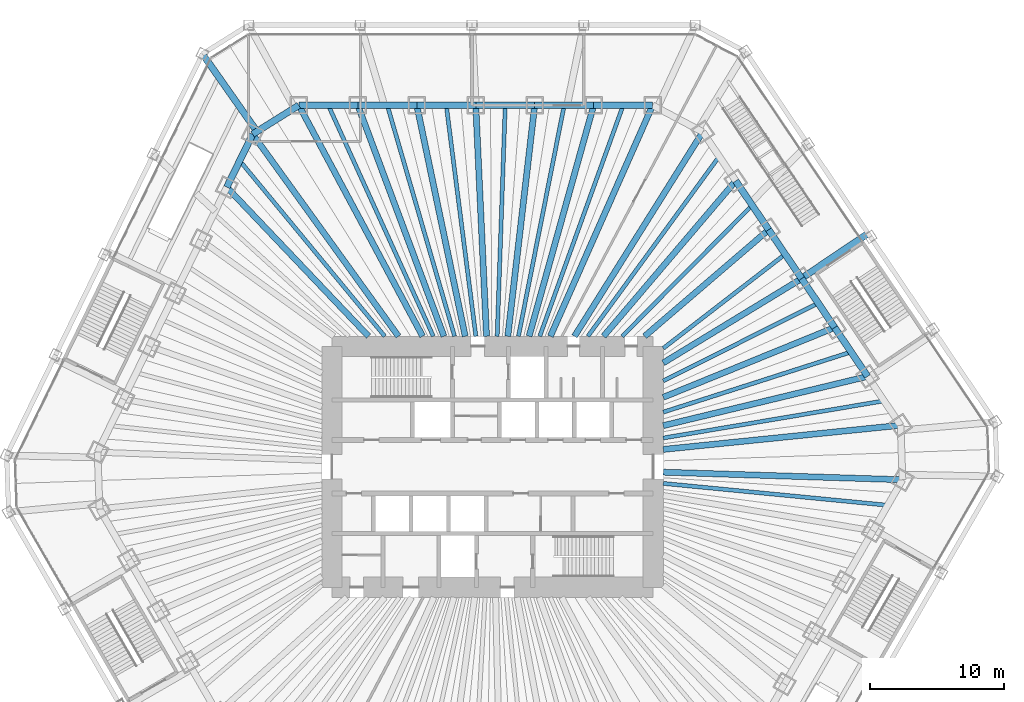
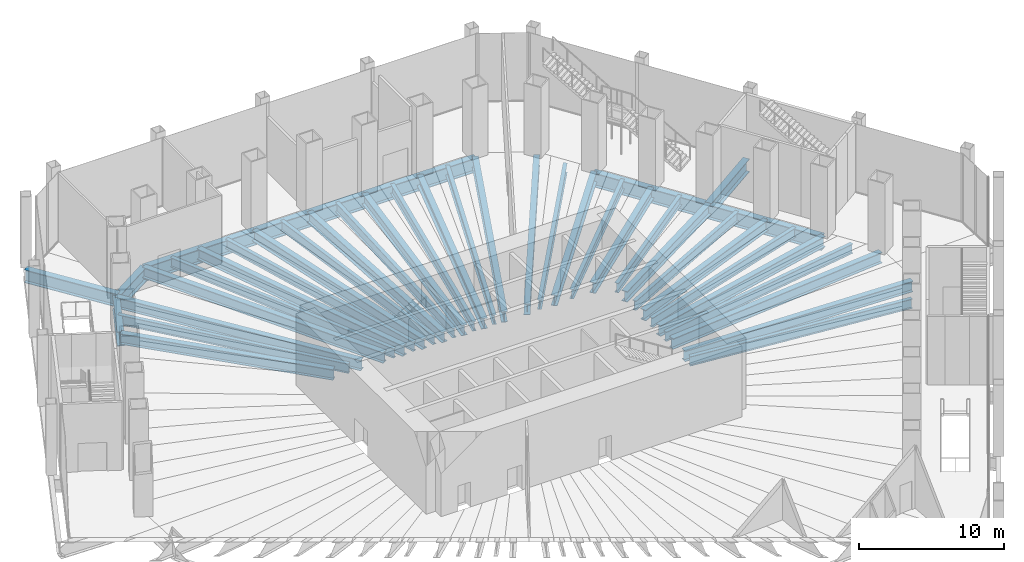
# One storey, part 10 of 23: 45 beams.
"""IFC4 building model written with IfcOpenShell, lengths in metres."""

from ifc_helpers import new_model, si_unit, direction, frame, origin, origin_2d, place, context, subcontext, project, spatial, i_section, extrude, material, material_profile, profile_set, type_object, element, save


model = new_model("IFC4")

# Units and contexts
model_context = context("Model", 3, precision=1e-05, world=origin(), true_north=direction((0.0, 1.0)))
body_context = subcontext(model_context, "Body", "Model", "MODEL_VIEW")
ifc_project = project(units=[si_unit("LENGTHUNIT", "METRE"), si_unit("AREAUNIT", "SQUARE_METRE"), si_unit("VOLUMEUNIT", "CUBIC_METRE"), si_unit("PLANEANGLEUNIT", "RADIAN"), si_unit("MASSUNIT", "GRAM", prefix="KILO")], contexts=[model_context])

# Site, building, storey
site_placement = place(None, origin())
site = spatial("IfcSite", under=ifc_project, at=site_placement, CompositionType="ELEMENT")
building_placement = place(site_placement, origin())
building = spatial("IfcBuilding", under=site, at=building_placement, Name="Qingtian Harvest Tower", CompositionType="ELEMENT")
storey_placement = place(building_placement, frame((0.0, 0.0, 6.0)))
storey = spatial("IfcBuildingStorey", under=building, at=storey_placement, Name="L01", CompositionType="ELEMENT", Elevation=6.0)

# Beams
ifc_material_1 = material(Name="Steel SM570MC", Category="steel")
ifc_material_profile_1 = material_profile(ifc_material_1, i_section(OverallWidth=0.449951171875, OverallDepth=0.89990234375, WebThickness=0.02197265625, FlangeThickness=0.044921875, at=origin_2d()), Name="H900x450x22x45")
ifc_profile_set_1 = profile_set([ifc_material_profile_1], Name="Steel SM570MC")
beam_type_1 = type_object("IfcBeamType", Name="Floor beam FB5 H900x450x22x45", PredefinedType="BEAM", material=ifc_profile_set_1)
beam_1_placement = place(storey_placement, frame((-14.471435546875, 27.0, -0.699951171875), z_axis=(0.472401408299, -0.881383520062, 0.0), x_axis=(0.881383520062, 0.472401408299, 0.0)))
element("IfcBeam", 1, at=beam_1_placement, inside=storey, type_object=beam_type_1, Name="Floor beam FB5 N0", PredefinedType="BEAM", context=body_context, shape_type="SweptSolid", body=[
    extrude(i_section(OverallWidth=0.449951171875, OverallDepth=0.89990234375, WebThickness=0.02197265625, FlangeThickness=0.044921875, at=origin_2d()), origin(), (0.0, 0.0, 1.0), 19.571533203125),
])
beam_2_placement = place(storey_placement, frame((-10.06689453125, 27.0, -0.699951171875), z_axis=(0.349355612113, -0.936990211414, 0.0), x_axis=(0.936990211414, 0.349355612113, 0.0)))
element("IfcBeam", 2, at=beam_2_placement, inside=storey, type_object=beam_type_1, Name="Floor beam FB5 N1", PredefinedType="BEAM", context=body_context, shape_type="SweptSolid", body=[
    extrude(i_section(OverallWidth=0.449951171875, OverallDepth=0.89990234375, WebThickness=0.02197265625, FlangeThickness=0.044921875, at=origin_2d()), origin(), (0.0, 0.0, 1.0), 18.409912109375),
])
beam_3_placement = place(storey_placement, frame((-5.662353515625, 27.0, -0.699951171875), z_axis=(0.205255077335, -0.978708512903, 0.0), x_axis=(0.978708512903, 0.205255077335, 0.0)))
element("IfcBeam", 3, at=beam_3_placement, inside=storey, type_object=beam_type_1, Name="Floor beam FB5 N2", PredefinedType="BEAM", context=body_context, shape_type="SweptSolid", body=[
    extrude(i_section(OverallWidth=0.449951171875, OverallDepth=0.89990234375, WebThickness=0.02197265625, FlangeThickness=0.044921875, at=origin_2d()), origin(), (0.0, 0.0, 1.0), 17.625244140625),
])
beam_4_placement = place(storey_placement, frame((-1.257568359375, 27.0, -0.699951171875), z_axis=(0.046527342366, -0.99891701678, 0.0), x_axis=(0.99891701678, 0.046527342366, 0.0)))
element("IfcBeam", 4, at=beam_4_placement, inside=storey, type_object=beam_type_1, Name="Floor beam FB5 N3", PredefinedType="BEAM", context=body_context, shape_type="SweptSolid", body=[
    extrude(i_section(OverallWidth=0.449951171875, OverallDepth=0.89990234375, WebThickness=0.02197265625, FlangeThickness=0.044921875, at=origin_2d()), origin(), (0.0, 0.0, 1.0), 17.268798828125),
])
beam_5_placement = place(storey_placement, frame((3.14697265625, 27.0, -0.699951171875), z_axis=(-0.115766971807, -0.993276400726, 0.0), x_axis=(0.993276400726, -0.115766971807, 0.0)))
element("IfcBeam", 5, at=beam_5_placement, inside=storey, type_object=beam_type_1, Name="Floor beam FB5 N4", PredefinedType="BEAM", context=body_context, shape_type="SweptSolid", body=[
    extrude(i_section(OverallWidth=0.449951171875, OverallDepth=0.89990234375, WebThickness=0.02197265625, FlangeThickness=0.044921875, at=origin_2d()), origin(), (0.0, 0.0, 1.0), 17.36669921875),
])
beam_6_placement = place(storey_placement, frame((7.551513671875, 27.0, -0.699951171875), z_axis=(-0.269343258019, -0.963044240604, 0.0), x_axis=(0.963044240604, -0.269343258019, 0.0)))
element("IfcBeam", 6, at=beam_6_placement, inside=storey, type_object=beam_type_1, Name="Floor beam FB5 N5", PredefinedType="BEAM", context=body_context, shape_type="SweptSolid", body=[
    extrude(i_section(OverallWidth=0.449951171875, OverallDepth=0.89990234375, WebThickness=0.02197265625, FlangeThickness=0.044921875, at=origin_2d()), origin(), (0.0, 0.0, 1.0), 17.911865234375),
])
beam_7_placement = place(storey_placement, frame((11.9560546875, 27.0, -0.699951171875), z_axis=(-0.404898955654, -0.914361436036, 0.0), x_axis=(0.914361436036, -0.404898955654, 0.0)))
element("IfcBeam", 7, at=beam_7_placement, inside=storey, type_object=beam_type_1, Name="Floor beam FB5 N6", PredefinedType="BEAM", context=body_context, shape_type="SweptSolid", body=[
    extrude(i_section(OverallWidth=0.449951171875, OverallDepth=0.89990234375, WebThickness=0.02197265625, FlangeThickness=0.044921875, at=origin_2d()), origin(), (0.0, 0.0, 1.0), 18.86572265625),
])
beam_8_placement = place(storey_placement, frame((15.6982421875, 25.01025390625, -0.699951171875), z_axis=(-0.531622796942, -0.846981228701, 0.0), x_axis=(0.846981228701, -0.531622796942, 0.0)))
element("IfcBeam", 8, at=beam_8_placement, inside=storey, type_object=beam_type_1, Name="Floor beam FB5 NE0", PredefinedType="BEAM", context=body_context, shape_type="SweptSolid", body=[
    extrude(i_section(OverallWidth=0.449951171875, OverallDepth=0.89990234375, WebThickness=0.02197265625, FlangeThickness=0.044921875, at=origin_2d()), origin(), (0.0, 0.0, 1.0), 18.017333984375),
])
beam_9_placement = place(storey_placement, frame((18.1611328125, 21.358642578125, -0.699951171875), z_axis=(-0.647781887327, -0.761825850474, 0.0), x_axis=(0.761825850474, -0.647781887327, 0.0)))
element("IfcBeam", 9, at=beam_9_placement, inside=storey, type_object=beam_type_1, Name="Floor beam FB5 NE1", PredefinedType="BEAM", context=body_context, shape_type="SweptSolid", body=[
    extrude(i_section(OverallWidth=0.449951171875, OverallDepth=0.89990234375, WebThickness=0.02197265625, FlangeThickness=0.044921875, at=origin_2d()), origin(), (0.0, 0.0, 1.0), 15.238037109375),
])
beam_10_placement = place(storey_placement, frame((20.624267578125, 17.70703125, -0.699951171875), z_axis=(-0.75873153072, -0.651403457384, 0.0), x_axis=(0.651403457384, -0.75873153072, 0.0)))
element("IfcBeam", 10, at=beam_10_placement, inside=storey, type_object=beam_type_1, Name="Floor beam FB5 NE2", PredefinedType="BEAM", context=body_context, shape_type="SweptSolid", body=[
    extrude(i_section(OverallWidth=0.449951171875, OverallDepth=0.89990234375, WebThickness=0.02197265625, FlangeThickness=0.044921875, at=origin_2d()), origin(), (0.0, 0.0, 1.0), 12.21533203125),
])
beam_11_placement = place(storey_placement, frame((23.08740234375, 14.0556640625, -0.699951171875), z_axis=(-0.854157261259, -0.520014781558, 0.0), x_axis=(0.520014781558, -0.854157261259, 0.0)))
element("IfcBeam", 11, at=beam_11_placement, inside=storey, type_object=beam_type_1, Name="Floor beam FB5 NE3", PredefinedType="BEAM", context=body_context, shape_type="SweptSolid", body=[
    extrude(i_section(OverallWidth=0.449951171875, OverallDepth=0.89990234375, WebThickness=0.02197265625, FlangeThickness=0.044921875, at=origin_2d()), origin(), (0.0, 0.0, 1.0), 12.1025390625),
])
beam_12_placement = place(storey_placement, frame((25.55029296875, 10.404052734375, -0.699951171875), z_axis=(-0.926156354735, -0.37713977062, 0.0), x_axis=(0.37713977062, -0.926156354735, 0.0)))
element("IfcBeam", 12, at=beam_12_placement, inside=storey, type_object=beam_type_1, Name="Floor beam FB5 NE4", PredefinedType="BEAM", context=body_context, shape_type="SweptSolid", body=[
    extrude(i_section(OverallWidth=0.449951171875, OverallDepth=0.89990234375, WebThickness=0.02197265625, FlangeThickness=0.044921875, at=origin_2d()), origin(), (0.0, 0.0, 1.0), 13.82080078125),
])
beam_13_placement = place(storey_placement, frame((28.013427734375, 6.75244140625, -0.699951171875), z_axis=(-0.972155908389, -0.234334994792, 0.0), x_axis=(0.234334994792, -0.972155908389, 0.0)))
element("IfcBeam", 13, at=beam_13_placement, inside=storey, type_object=beam_type_1, Name="Floor beam FB5 NE5", PredefinedType="BEAM", context=body_context, shape_type="SweptSolid", body=[
    extrude(i_section(OverallWidth=0.449951171875, OverallDepth=0.89990234375, WebThickness=0.02197265625, FlangeThickness=0.044921875, at=origin_2d()), origin(), (0.0, 0.0, 1.0), 15.70068359375),
])
beam_14_placement = place(storey_placement, frame((30.476318359375, 3.100830078125, -0.699951171875), z_axis=(-0.994864371567, -0.101217005423, 0.0), x_axis=(0.101217005423, -0.994864371567, 0.0)))
element("IfcBeam", 14, at=beam_14_placement, inside=storey, type_object=beam_type_1, Name="Floor beam FB5 NE6", PredefinedType="BEAM", context=body_context, shape_type="SweptSolid", body=[
    extrude(i_section(OverallWidth=0.449951171875, OverallDepth=0.89990234375, WebThickness=0.02197265625, FlangeThickness=0.044921875, at=origin_2d()), origin(), (0.0, 0.0, 1.0), 17.81787109375),
])
beam_15_placement = place(storey_placement, frame((30.618408203125, -0.96728515625, -0.699951171875), z_axis=(-0.999501426546, 0.031573696842, 0.0), x_axis=(-0.031573696842, -0.999501426546, 0.0)))
element("IfcBeam", 15, at=beam_15_placement, inside=storey, type_object=beam_type_1, Name="Floor beam FB5 SE0", PredefinedType="BEAM", context=body_context, shape_type="SweptSolid", body=[
    extrude(i_section(OverallWidth=0.449951171875, OverallDepth=0.89990234375, WebThickness=0.02197265625, FlangeThickness=0.044921875, at=origin_2d()), origin(), (0.0, 0.0, 1.0), 17.87744140625),
])
beam_16_placement = place(storey_placement, frame((-19.8544921875, 20.884033203125, -0.699951171875), z_axis=(0.689018801535, -0.724743465739, 0.0), x_axis=(0.724743465739, 0.689018801535, 0.0)))
element("IfcBeam", 16, at=beam_16_placement, inside=storey, type_object=beam_type_1, Name="Floor beam FB5 NW5", PredefinedType="BEAM", context=body_context, shape_type="SweptSolid", body=[
    extrude(i_section(OverallWidth=0.449951171875, OverallDepth=0.89990234375, WebThickness=0.02197265625, FlangeThickness=0.044921875, at=origin_2d()), origin(), (0.0, 0.0, 1.0), 15.36279296875),
])
beam_17_placement = place(storey_placement, frame((-17.923583984375, 24.8427734375, -0.699951171875), z_axis=(0.585095822328, -0.810964166098, 0.0), x_axis=(0.810964166098, 0.585095822328, 0.0)))
element("IfcBeam", 17, at=beam_17_placement, inside=storey, type_object=beam_type_1, Name="Floor beam FB5 NW6", PredefinedType="BEAM", context=body_context, shape_type="SweptSolid", body=[
    extrude(i_section(OverallWidth=0.449951171875, OverallDepth=0.89990234375, WebThickness=0.02197265625, FlangeThickness=0.044921875, at=origin_2d()), origin(), (0.0, 0.0, 1.0), 18.61083984375),
])
ifc_material_2 = material(Name="Steel SM570MC", Category="steel")
ifc_material_profile_2 = material_profile(ifc_material_2, i_section(OverallWidth=0.5, OverallDepth=1.10009765625, WebThickness=0.02490234375, FlangeThickness=0.050048828125, at=origin_2d()), Name="H1100x500x25x50")
ifc_profile_set_2 = profile_set([ifc_material_profile_2], Name="Steel SM570MC")
beam_type_2 = type_object("IfcBeamType", Name="Floor beam FB6 H1100x500x25x50", PredefinedType="BEAM", material=ifc_profile_set_2)
beam_18_placement = place(storey_placement, frame((28.050048828125, 17.427734375, -0.800048828125), z_axis=(-0.829026943096, -0.559208661969, 0.0), x_axis=(0.559208661969, -0.829026943096, 0.0)))
element("IfcBeam", 18, at=beam_18_placement, inside=storey, type_object=beam_type_2, Name="Podium floor beam FB6 NE2", PredefinedType="BEAM", context=body_context, shape_type="SweptSolid", body=[
    extrude(i_section(OverallWidth=0.5, OverallDepth=1.10009765625, WebThickness=0.02490234375, FlangeThickness=0.050048828125, at=origin_2d()), origin(), (0.0, 0.0, 1.0), 6.0),
])
beam_19_placement = place(storey_placement, frame((-21.6728515625, 30.8427734375, -0.800048828125), z_axis=(0.574952997863, -0.818186439785, 0.0), x_axis=(0.818186439785, 0.574952997863, 0.0)))
element("IfcBeam", 19, at=beam_19_placement, inside=storey, type_object=beam_type_2, Name="Podium floor beam FB6 NW4", PredefinedType="BEAM", context=body_context, shape_type="SweptSolid", body=[
    extrude(i_section(OverallWidth=0.5, OverallDepth=1.10009765625, WebThickness=0.02490234375, FlangeThickness=0.050048828125, at=origin_2d()), origin(), (0.0, 0.0, 1.0), 7.08544921875),
])
ifc_material_3 = material(Name="Steel SN490B", Category="steel")
ifc_material_profile_3 = material_profile(ifc_material_3, i_section(OverallWidth=0.300048828125, OverallDepth=0.800048828125, WebThickness=0.013916015625, FlangeThickness=0.02587890625, at=origin_2d()), Name="H800x300x14x26")
ifc_profile_set_3 = profile_set([ifc_material_profile_3], Name="Steel SN490B")
beam_type_3 = type_object("IfcBeamType", Name="Floor joist J1 H800x300x14x26", PredefinedType="JOIST", material=ifc_profile_set_3)
beam_20_placement = place(storey_placement, frame((-12.269287109375, 27.0, -0.64990234375), z_axis=(0.413713629402, -0.910407069858, 0.0), x_axis=(0.910407069858, 0.413713629402, 0.0)))
element("IfcBeam", 20, at=beam_20_placement, inside=storey, type_object=beam_type_3, Name="Floor joist J1 N0", PredefinedType="JOIST", context=body_context, shape_type="SweptSolid", body=[
    extrude(i_section(OverallWidth=0.300048828125, OverallDepth=0.800048828125, WebThickness=0.013916015625, FlangeThickness=0.02587890625, at=origin_2d()), origin(), (0.0, 0.0, 1.0), 18.947509765625),
])
beam_21_placement = place(storey_placement, frame((-7.864501953125, 27.0, -0.64990234375), z_axis=(0.279649335299, -0.960102207719, 0.0), x_axis=(0.960102207719, 0.279649335299, 0.0)))
element("IfcBeam", 21, at=beam_21_placement, inside=storey, type_object=beam_type_3, Name="Floor joist J1 N1", PredefinedType="JOIST", context=body_context, shape_type="SweptSolid", body=[
    extrude(i_section(OverallWidth=0.300048828125, OverallDepth=0.800048828125, WebThickness=0.013916015625, FlangeThickness=0.02587890625, at=origin_2d()), origin(), (0.0, 0.0, 1.0), 17.966796875),
])
beam_22_placement = place(storey_placement, frame((-3.4599609375, 27.0, -0.64990234375), z_axis=(0.127102696173, -0.991889562716, 0.0), x_axis=(0.991889562716, 0.127102696173, 0.0)))
element("IfcBeam", 22, at=beam_22_placement, inside=storey, type_object=beam_type_3, Name="Floor joist J1 N2", PredefinedType="JOIST", context=body_context, shape_type="SweptSolid", body=[
    extrude(i_section(OverallWidth=0.300048828125, OverallDepth=0.800048828125, WebThickness=0.013916015625, FlangeThickness=0.02587890625, at=origin_2d()), origin(), (0.0, 0.0, 1.0), 17.39111328125),
])
beam_23_placement = place(storey_placement, frame((0.944580078125, 27.0, -0.64990234375), z_axis=(-0.034965020137, -0.99938853674, 0.0), x_axis=(0.99938853674, -0.034965020137, 0.0)))
element("IfcBeam", 23, at=beam_23_placement, inside=storey, type_object=beam_type_3, Name="Floor joist J1 N3", PredefinedType="JOIST", context=body_context, shape_type="SweptSolid", body=[
    extrude(i_section(OverallWidth=0.300048828125, OverallDepth=0.800048828125, WebThickness=0.013916015625, FlangeThickness=0.02587890625, at=origin_2d()), origin(), (0.0, 0.0, 1.0), 17.260498046875),
])
beam_24_placement = place(storey_placement, frame((5.349365234375, 27.0, -0.64990234375), z_axis=(-0.19435104803, -0.980932041545, 0.0), x_axis=(0.980932041545, -0.19435104803, 0.0)))
element("IfcBeam", 24, at=beam_24_placement, inside=storey, type_object=beam_type_3, Name="Floor joist J1 N4", PredefinedType="JOIST", context=body_context, shape_type="SweptSolid", body=[
    extrude(i_section(OverallWidth=0.300048828125, OverallDepth=0.800048828125, WebThickness=0.013916015625, FlangeThickness=0.02587890625, at=origin_2d()), origin(), (0.0, 0.0, 1.0), 17.585205078125),
])
beam_25_placement = place(storey_placement, frame((9.75390625, 27.0, -0.64990234375), z_axis=(-0.339766141765, -0.940509951521, 0.0), x_axis=(0.940509951521, -0.339766141765, 0.0)))
element("IfcBeam", 25, at=beam_25_placement, inside=storey, type_object=beam_type_3, Name="Floor joist J1 N5", PredefinedType="JOIST", context=body_context, shape_type="SweptSolid", body=[
    extrude(i_section(OverallWidth=0.300048828125, OverallDepth=0.800048828125, WebThickness=0.013916015625, FlangeThickness=0.02587890625, at=origin_2d()), origin(), (0.0, 0.0, 1.0), 18.341064453125),
])
beam_26_placement = place(storey_placement, frame((16.9296875, 23.1845703125, -0.64990234375), z_axis=(-0.589722175422, -0.80760618857, 0.0), x_axis=(0.80760618857, -0.589722175422, 0.0)))
element("IfcBeam", 26, at=beam_26_placement, inside=storey, type_object=beam_type_3, Name="Floor joist J1 NE0", PredefinedType="JOIST", context=body_context, shape_type="SweptSolid", body=[
    extrude(i_section(OverallWidth=0.300048828125, OverallDepth=0.800048828125, WebThickness=0.013916015625, FlangeThickness=0.02587890625, at=origin_2d()), origin(), (0.0, 0.0, 1.0), 16.635009765625),
])
beam_27_placement = place(storey_placement, frame((19.392822265625, 19.532958984375, -0.64990234375), z_axis=(-0.704560879039, -0.709643549768, 0.0), x_axis=(0.709643549768, -0.704560879039, 0.0)))
element("IfcBeam", 27, at=beam_27_placement, inside=storey, type_object=beam_type_3, Name="Floor joist J1 NE1", PredefinedType="JOIST", context=body_context, shape_type="SweptSolid", body=[
    extrude(i_section(OverallWidth=0.300048828125, OverallDepth=0.800048828125, WebThickness=0.013916015625, FlangeThickness=0.02587890625, at=origin_2d()), origin(), (0.0, 0.0, 1.0), 13.78564453125),
])
beam_28_placement = place(storey_placement, frame((21.855712890625, 15.88134765625, -0.64990234375), z_axis=(-0.79149450594, -0.611176281499, 0.0), x_axis=(0.611176281499, -0.79149450594, 0.0)))
element("IfcBeam", 28, at=beam_28_placement, inside=storey, type_object=beam_type_3, Name="Floor joist J1 NE2", PredefinedType="JOIST", context=body_context, shape_type="SweptSolid", body=[
    extrude(i_section(OverallWidth=0.300048828125, OverallDepth=0.800048828125, WebThickness=0.013916015625, FlangeThickness=0.02587890625, at=origin_2d()), origin(), (0.0, 0.0, 1.0), 11.50439453125),
])
beam_29_placement = place(storey_placement, frame((24.31884765625, 12.229736328125, -0.64990234375), z_axis=(-0.893391632689, -0.449278744924, 0.0), x_axis=(0.449278744924, -0.893391632689, 0.0)))
element("IfcBeam", 29, at=beam_29_placement, inside=storey, type_object=beam_type_3, Name="Floor joist J1 NE3", PredefinedType="JOIST", context=body_context, shape_type="SweptSolid", body=[
    extrude(i_section(OverallWidth=0.300048828125, OverallDepth=0.800048828125, WebThickness=0.013916015625, FlangeThickness=0.02587890625, at=origin_2d()), origin(), (0.0, 0.0, 1.0), 12.949462890625),
])
beam_30_placement = place(storey_placement, frame((26.78173828125, 8.578125, -0.64990234375), z_axis=(-0.952340804978, -0.305036048976, 0.0), x_axis=(0.305036048976, -0.952340804978, 0.0)))
element("IfcBeam", 30, at=beam_30_placement, inside=storey, type_object=beam_type_3, Name="Floor joist J1 NE4", PredefinedType="JOIST", context=body_context, shape_type="SweptSolid", body=[
    extrude(i_section(OverallWidth=0.300048828125, OverallDepth=0.800048828125, WebThickness=0.013916015625, FlangeThickness=0.02587890625, at=origin_2d()), origin(), (0.0, 0.0, 1.0), 14.73388671875),
])
beam_31_placement = place(storey_placement, frame((29.244873046875, 4.926513671875, -0.64990234375), z_axis=(-0.986107238024, -0.166109948877, 0.0), x_axis=(0.166109948877, -0.986107238024, 0.0)))
element("IfcBeam", 31, at=beam_31_placement, inside=storey, type_object=beam_type_3, Name="Floor joist J1 NE5", PredefinedType="JOIST", context=body_context, shape_type="SweptSolid", body=[
    extrude(i_section(OverallWidth=0.300048828125, OverallDepth=0.800048828125, WebThickness=0.013916015625, FlangeThickness=0.02587890625, at=origin_2d()), origin(), (0.0, 0.0, 1.0), 16.727294921875),
])
beam_32_placement = place(storey_placement, frame((29.517333984375, -2.87451171875, -0.64990234375), z_axis=(-0.995291970786, 0.096922097011, 0.0), x_axis=(-0.096922097011, -0.995291970786, 0.0)))
element("IfcBeam", 32, at=beam_32_placement, inside=storey, type_object=beam_type_3, Name="Floor joist J1 SE0", PredefinedType="JOIST", context=body_context, shape_type="SweptSolid", body=[
    extrude(i_section(OverallWidth=0.300048828125, OverallDepth=0.800048828125, WebThickness=0.013916015625, FlangeThickness=0.02587890625, at=origin_2d()), origin(), (0.0, 0.0, 1.0), 16.8466796875),
])
beam_33_placement = place(storey_placement, frame((-18.888916015625, 22.863525390625, -0.64990234375), z_axis=(0.636910378144, -0.77093785107, 0.0), x_axis=(0.77093785107, 0.636910378144, 0.0)))
element("IfcBeam", 33, at=beam_33_placement, inside=storey, type_object=beam_type_3, Name="Floor joist J1 NW5", PredefinedType="JOIST", context=body_context, shape_type="SweptSolid", body=[
    extrude(i_section(OverallWidth=0.300048828125, OverallDepth=0.800048828125, WebThickness=0.013916015625, FlangeThickness=0.02587890625, at=origin_2d()), origin(), (0.0, 0.0, 1.0), 17.009765625),
])
ifc_material_4 = material(Name="Steel SM570MC", Category="steel")
ifc_material_profile_4 = material_profile(ifc_material_4, i_section(OverallWidth=0.5, OverallDepth=1.199951171875, WebThickness=0.02490234375, FlangeThickness=0.050048828125, at=origin_2d()), Name="H1200x500x25x50")
ifc_profile_set_4 = profile_set([ifc_material_profile_4], Name="Steel SM570MC")
beam_type_4 = type_object("IfcBeamType", Name="Spandrel beam SB1 H1200x500x25x50", PredefinedType="SPANDREL", material=ifc_profile_set_4)
for number, where, z_axis, x_axis, name in (
    (34, (-14.471435546875, 27.0, -0.85009765625), (1.0, 0.0, 0.0), (0.0, 1.0, 0.0), "Spandrel SB1 N0"),
    (35, (-10.06689453125, 27.0, -0.85009765625), (1.0, 0.0, 0.0), (0.0, 1.0, 0.0), "Spandrel SB1 N1"),
):
    element("IfcBeam", number, at=place(storey_placement, frame(where, z_axis=z_axis, x_axis=x_axis)), inside=storey, type_object=beam_type_4, Name=name, PredefinedType="SPANDREL", context=body_context, shape_type="SweptSolid", body=[
        extrude(i_section(OverallWidth=0.5, OverallDepth=1.199951171875, WebThickness=0.02490234375, FlangeThickness=0.050048828125, at=origin_2d()), origin(), (0.0, 0.0, 1.0), 4.404541015625),
    ])
beam_34_placement = place(storey_placement, frame((-5.662353515625, 27.0, -0.85009765625), z_axis=(1.0, 0.0, 0.0), x_axis=(0.0, 1.0, 0.0)))
element("IfcBeam", 36, at=beam_34_placement, inside=storey, type_object=beam_type_4, Name="Spandrel SB1 N2", PredefinedType="SPANDREL", context=body_context, shape_type="SweptSolid", body=[
    extrude(i_section(OverallWidth=0.5, OverallDepth=1.199951171875, WebThickness=0.02490234375, FlangeThickness=0.050048828125, at=origin_2d()), origin(), (0.0, 0.0, 1.0), 4.40478515625),
])
for number, where, z_axis, x_axis, name in (
    (37, (-1.257568359375, 27.0, -0.85009765625), (1.0, 0.0, 0.0), (0.0, 1.0, 0.0), "Spandrel SB1 N3"),
    (38, (3.14697265625, 27.0, -0.85009765625), (1.0, 0.0, 0.0), (0.0, 1.0, 0.0), "Spandrel SB1 N4"),
    (39, (7.551513671875, 27.0, -0.85009765625), (1.0, 0.0, 0.0), (0.0, 1.0, 0.0), "Spandrel SB1 N5"),
):
    element("IfcBeam", number, at=place(storey_placement, frame(where, z_axis=z_axis, x_axis=x_axis)), inside=storey, type_object=beam_type_4, Name=name, PredefinedType="SPANDREL", context=body_context, shape_type="SweptSolid", body=[
        extrude(i_section(OverallWidth=0.5, OverallDepth=1.199951171875, WebThickness=0.02490234375, FlangeThickness=0.050048828125, at=origin_2d()), origin(), (0.0, 0.0, 1.0), 4.404541015625),
    ])
beam_35_placement = place(storey_placement, frame((18.1611328125, 21.358642578125, -0.85009765625), z_axis=(0.559207231603, -0.829027907928, 0.0), x_axis=(0.829027907928, 0.559207231603, 0.0)))
element("IfcBeam", 40, at=beam_35_placement, inside=storey, type_object=beam_type_4, Name="Spandrel SB1 NE1", PredefinedType="SPANDREL", context=body_context, shape_type="SweptSolid", body=[
    extrude(i_section(OverallWidth=0.5, OverallDepth=1.199951171875, WebThickness=0.02490234375, FlangeThickness=0.050048828125, at=origin_2d()), origin(), (0.0, 0.0, 1.0), 4.40478515625),
])
for number, where, z_axis, x_axis, name in (
    (41, (20.624267578125, 17.70703125, -0.85009765625), (0.559232928578, -0.829010573874, 0.0), (0.829010573874, 0.559232928578, 0.0), "Spandrel SB1 NE2"),
    (42, (23.08740234375, 14.0556640625, -0.85009765625), (0.559169135272, -0.829053603912, 0.0), (0.829053603912, 0.559169135272, 0.0), "Spandrel SB1 NE3"),
):
    element("IfcBeam", number, at=place(storey_placement, frame(where, z_axis=z_axis, x_axis=x_axis)), inside=storey, type_object=beam_type_4, Name=name, PredefinedType="SPANDREL", context=body_context, shape_type="SweptSolid", body=[
        extrude(i_section(OverallWidth=0.5, OverallDepth=1.199951171875, WebThickness=0.02490234375, FlangeThickness=0.050048828125, at=origin_2d()), origin(), (0.0, 0.0, 1.0), 4.404541015625),
    ])
beam_36_placement = place(storey_placement, frame((25.55029296875, 10.404052734375, -0.85009765625), z_axis=(0.559207231603, -0.829027907928, 0.0), x_axis=(0.829027907928, 0.559207231603, 0.0)))
element("IfcBeam", 43, at=beam_36_placement, inside=storey, type_object=beam_type_4, Name="Spandrel SB1 NE4", PredefinedType="SPANDREL", context=body_context, shape_type="SweptSolid", body=[
    extrude(i_section(OverallWidth=0.5, OverallDepth=1.199951171875, WebThickness=0.02490234375, FlangeThickness=0.050048828125, at=origin_2d()), origin(), (0.0, 0.0, 1.0), 4.40478515625),
])
beam_37_placement = place(storey_placement, frame((-19.8544921875, 20.884033203125, -0.85009765625), z_axis=(0.438389777529, 0.898784959241, 0.0), x_axis=(-0.898784959241, 0.438389777529, 0.0)))
element("IfcBeam", 44, at=beam_37_placement, inside=storey, type_object=beam_type_4, Name="Spandrel SB1 NW5", PredefinedType="SPANDREL", context=body_context, shape_type="SweptSolid", body=[
    extrude(i_section(OverallWidth=0.5, OverallDepth=1.199951171875, WebThickness=0.02490234375, FlangeThickness=0.050048828125, at=origin_2d()), origin(), (0.0, 0.0, 1.0), 4.404541015625),
])
beam_38_placement = place(storey_placement, frame((-17.923583984375, 24.8427734375, -0.85009765625), z_axis=(0.848038733752, 0.529934246919, 0.0), x_axis=(-0.529934246919, 0.848038733752, 0.0)))
element("IfcBeam", 45, at=beam_38_placement, inside=storey, type_object=beam_type_4, Name="Spandrel SB1 NWC", PredefinedType="SPANDREL", context=body_context, shape_type="SweptSolid", body=[
    extrude(i_section(OverallWidth=0.5, OverallDepth=1.199951171875, WebThickness=0.02490234375, FlangeThickness=0.050048828125, at=origin_2d()), origin(), (0.0, 0.0, 1.0), 4.07080078125),
])

save(model, "model.ifc")
